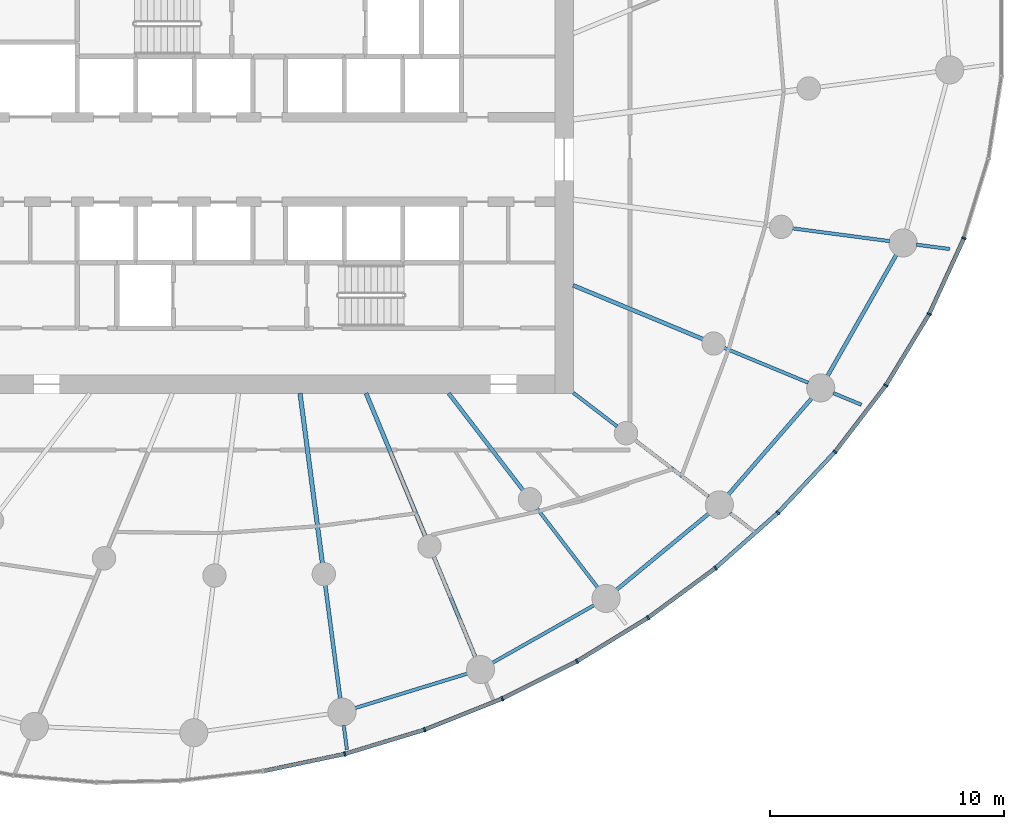
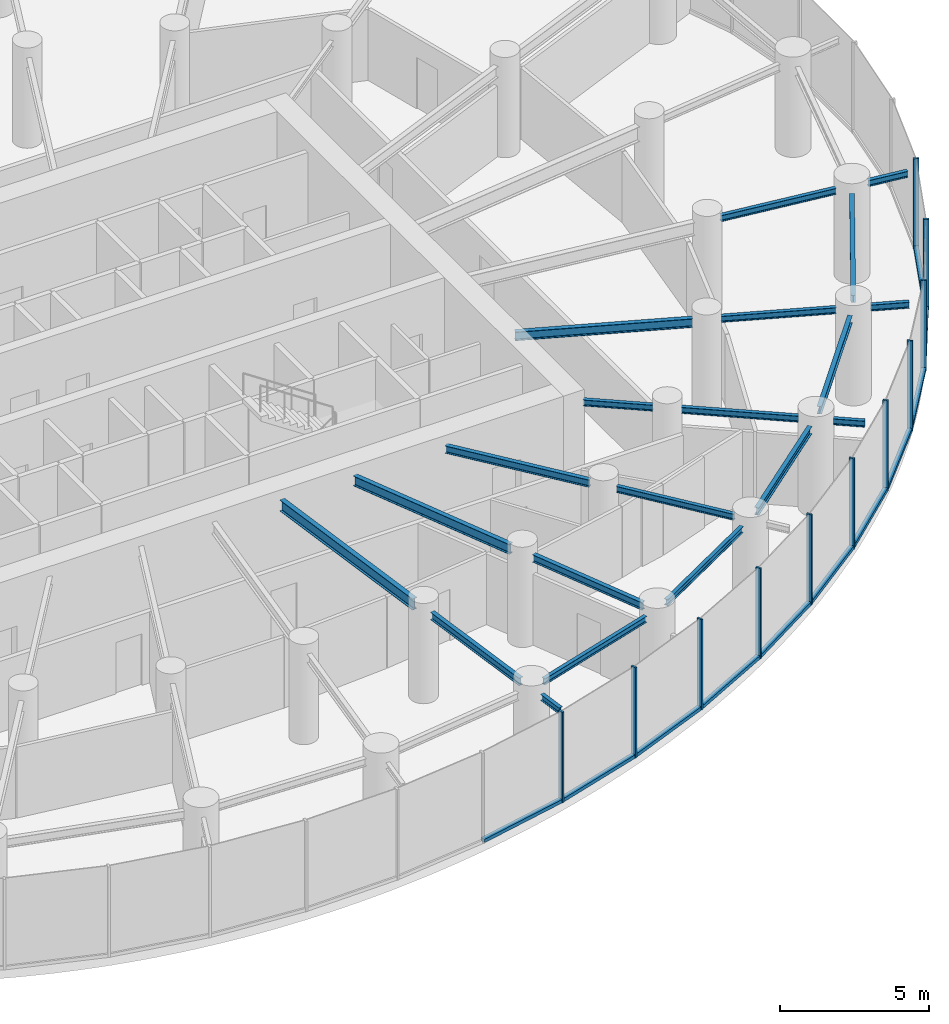
# One storey, part 4 of 17: 22 members, 20 beams, 3 elements without a shape of their own.
"""IFC4 building model written with IfcOpenShell, lengths in metres."""

from ifc_helpers import new_model, si_unit, direction, frame, origin, origin_2d, place, context, subcontext, project, spatial, rectangle, i_section, extrude, source, transform, mapped, material, layer, layer_set, material_profile, profile_set, type_object, element, aggregate, save


model = new_model("IFC4")

# Units and contexts
model_context = context("Model", 3, precision=1e-05, world=origin(), true_north=direction((0.0, 1.0)))
body_context = subcontext(model_context, "Body", "Model", "MODEL_VIEW")
ifc_project = project(units=[si_unit("LENGTHUNIT", "METRE"), si_unit("AREAUNIT", "SQUARE_METRE"), si_unit("VOLUMEUNIT", "CUBIC_METRE"), si_unit("PLANEANGLEUNIT", "RADIAN"), si_unit("MASSUNIT", "GRAM", prefix="KILO")], contexts=[model_context])

# Site, building, storey
site_placement = place(None, origin())
site = spatial("IfcSite", under=ifc_project, at=site_placement, CompositionType="ELEMENT")
building_placement = place(site_placement, origin())
building = spatial("IfcBuilding", under=site, at=building_placement, Name="Spindrift Exchange Tower", CompositionType="ELEMENT")
storey_placement = place(building_placement, frame((0.0, 0.0, 96.199951171875)))
storey = spatial("IfcBuildingStorey", under=building, at=storey_placement, Name="L22", CompositionType="ELEMENT", Elevation=96.199951171875)

# Beams
ifc_material_1 = material(Name="Steel Grade 300", Category="steel")
ifc_material_profile_1 = material_profile(ifc_material_1, i_section(OverallWidth=0.18994140625, OverallDepth=0.45703125, WebThickness=0.009033203125, FlangeThickness=0.014404296875, FilletRadius=0.013916015625, at=origin_2d()), Name="460UB74.6")
ifc_profile_set_1 = profile_set([ifc_material_profile_1], Name="Steel Grade 300")
beam_type_1 = type_object("IfcBeamType", Name="Floor Beam 460UB74.6 Steel Grade 300", PredefinedType="BEAM", material=ifc_profile_set_1)
shared_shape_1 = source(origin(), body_context, "Body", "SweptSolid", [
    extrude(i_section(OverallWidth=0.18994140625, OverallDepth=0.45703125, WebThickness=0.009033203125, FlangeThickness=0.014404296875, FilletRadius=0.013916015625, at=origin_2d()), origin(), (0.0, 0.0, 1.0), 7.3095703125),
])
beam_1_placement = place(storey_placement, frame((53.31396484375, 38.019775390625, 3.471435546875), z_axis=(0.130527087244, -0.991444743541, 0.0), x_axis=(0.991444743541, 0.130527087244, 0.0)))
element("IfcBeam", 1, at=beam_1_placement, inside=storey, type_object=beam_type_1, Name="L22 radial beam R19A", PredefinedType="BEAM", context=body_context, shape_type="MappedRepresentation", body=[
    mapped(shared_shape_1, transform((0.0, 0.0, 0.0), scale=1.0)),
])
ifc_material_profile_2 = material_profile(ifc_material_1, i_section(OverallWidth=0.177978515625, OverallDepth=0.406005859375, WebThickness=0.0078125, FlangeThickness=0.0126953125, FilletRadius=0.013916015625, at=origin_2d()), Name="410UB59.7")
ifc_profile_set_2 = profile_set([ifc_material_profile_2], Name="Steel Grade 300")
beam_type_2 = type_object("IfcBeamType", Name="Floor Beam 410UB59.7 Steel Grade 300", PredefinedType="BEAM", material=ifc_profile_set_2)
shared_shape_2 = source(origin(), body_context, "Body", "SweptSolid", [
    extrude(i_section(OverallWidth=0.177978515625, OverallDepth=0.406005859375, WebThickness=0.0078125, FlangeThickness=0.0126953125, FilletRadius=0.013916015625, at=origin_2d()), origin(), (0.0, 0.0, 1.0), 6.594482421875),
])
beam_2_placement = place(storey_placement, frame((56.134521484375, 38.0185546875, 3.4970703125), z_axis=(0.382692929746, -0.92387559851, 0.0), x_axis=(0.92387559851, 0.382692929746, 0.0)))
element("IfcBeam", 2, at=beam_2_placement, inside=storey, type_object=beam_type_2, Name="L22 radial beam R20A", PredefinedType="BEAM", context=body_context, shape_type="MappedRepresentation", body=[
    mapped(shared_shape_2, transform((0.0, 0.0, 0.0), scale=1.0)),
])
ifc_material_profile_3 = material_profile(ifc_material_1, i_section(OverallWidth=0.1650390625, OverallDepth=0.303955078125, WebThickness=0.006103515625, FlangeThickness=0.01025390625, FilletRadius=0.011474609375, at=origin_2d()), Name="310UB40.4")
ifc_profile_set_3 = profile_set([ifc_material_profile_3], Name="Steel Grade 300")
beam_type_3 = type_object("IfcBeamType", Name="Floor Beam 310UB40.4 Steel Grade 300", PredefinedType="BEAM", material=ifc_profile_set_3)
shared_shape_3 = source(origin(), body_context, "Body", "SweptSolid", [
    extrude(i_section(OverallWidth=0.1650390625, OverallDepth=0.303955078125, WebThickness=0.006103515625, FlangeThickness=0.01025390625, FilletRadius=0.011474609375, at=origin_2d()), origin(), (0.0, 0.0, 1.0), 5.224609375),
])
beam_3_placement = place(storey_placement, frame((59.6611328125, 38.015869140625, 3.548095703125), z_axis=(0.608741499316, -0.793368632485, 0.0), x_axis=(0.793368632485, 0.608741499316, 0.0)))
element("IfcBeam", 3, at=beam_3_placement, inside=storey, type_object=beam_type_3, Name="L22 radial beam R21A", PredefinedType="BEAM", context=body_context, shape_type="MappedRepresentation", body=[
    mapped(shared_shape_3, transform((0.0, 0.0, 0.0), scale=1.0)),
])
ifc_material_profile_4 = material_profile(ifc_material_1, i_section(OverallWidth=0.14599609375, OverallDepth=0.251953125, WebThickness=0.006103515625, FlangeThickness=0.008544921875, FilletRadius=0.011962890625, at=origin_2d()), Name="250UB31.4")
ifc_profile_set_4 = profile_set([ifc_material_profile_4], Name="Steel Grade 300")
beam_type_4 = type_object("IfcBeamType", Name="Floor Beam 250UB31.4 Steel Grade 300", PredefinedType="BEAM", material=ifc_profile_set_4)
shared_shape_4 = source(origin(), body_context, "Body", "SweptSolid", [
    extrude(i_section(OverallWidth=0.14599609375, OverallDepth=0.251953125, WebThickness=0.006103515625, FlangeThickness=0.008544921875, FilletRadius=0.011962890625, at=origin_2d()), origin(), (0.0, 0.0, 1.0), 2.353759765625),
])
beam_4_placement = place(storey_placement, frame((64.984130859375, 38.036865234375, 3.573974609375), z_axis=(0.793367573265, -0.608742879787, 0.0), x_axis=(0.608742879787, 0.793367573265, 0.0)))
element("IfcBeam", 4, at=beam_4_placement, inside=storey, type_object=beam_type_4, Name="L22 radial beam R22A", PredefinedType="BEAM", context=body_context, shape_type="MappedRepresentation", body=[
    mapped(shared_shape_4, transform((0.0, 0.0, 0.0), scale=1.0)),
])
ifc_material_profile_5 = material_profile(ifc_material_1, i_section(OverallWidth=0.172119140625, OverallDepth=0.35888671875, WebThickness=0.008056640625, FlangeThickness=0.012939453125, FilletRadius=0.013916015625, at=origin_2d()), Name="360UB56.7")
ifc_profile_set_5 = profile_set([ifc_material_profile_5], Name="Steel Grade 300")
beam_type_5 = type_object("IfcBeamType", Name="Floor Beam 360UB56.7 Steel Grade 300", PredefinedType="BEAM", material=ifc_profile_set_5)
shared_shape_5 = source(origin(), body_context, "Body", "SweptSolid", [
    extrude(i_section(OverallWidth=0.172119140625, OverallDepth=0.35888671875, WebThickness=0.008056640625, FlangeThickness=0.012939453125, FilletRadius=0.013916015625, at=origin_2d()), origin(), (0.0, 0.0, 1.0), 6.004638671875),
])
beam_5_placement = place(storey_placement, frame((64.9814453125, 42.622802734375, 3.5205078125), z_axis=(0.923882044911, -0.38267736684, 0.0), x_axis=(0.38267736684, 0.923882044911, 0.0)))
element("IfcBeam", 5, at=beam_5_placement, inside=storey, type_object=beam_type_5, Name="L22 radial beam R23A", PredefinedType="BEAM", context=body_context, shape_type="MappedRepresentation", body=[
    mapped(shared_shape_5, transform((0.0, 0.0, 0.0), scale=1.0)),
])
shared_shape_6 = source(origin(), body_context, "Body", "SweptSolid", [
    extrude(i_section(OverallWidth=0.1650390625, OverallDepth=0.303955078125, WebThickness=0.006103515625, FlangeThickness=0.01025390625, FilletRadius=0.011474609375, at=origin_2d()), origin(), (0.0, 0.0, 1.0), 4.883056640625),
])
beam_6_placement = place(storey_placement, frame((54.393310546875, 29.82080078125, 3.548095703125), z_axis=(0.130542457964, -0.991442719812, 0.0), x_axis=(0.991442719812, 0.130542457964, 0.0)))
element("IfcBeam", 6, at=beam_6_placement, inside=storey, type_object=beam_type_3, Name="L22 radial beam R19B", PredefinedType="BEAM", context=body_context, shape_type="MappedRepresentation", body=[
    mapped(shared_shape_6, transform((0.0, 0.0, 0.0), scale=1.0)),
])
shared_shape_7 = source(origin(), body_context, "Body", "SweptSolid", [
    extrude(i_section(OverallWidth=0.1650390625, OverallDepth=0.303955078125, WebThickness=0.006103515625, FlangeThickness=0.01025390625, FilletRadius=0.011474609375, at=origin_2d()), origin(), (0.0, 0.0, 1.0), 4.63671875),
])
beam_7_placement = place(storey_placement, frame((59.025390625, 31.0390625, 3.548095703125), z_axis=(0.382692818086, -0.923875644763, 0.0), x_axis=(0.923875644763, 0.382692818086, 0.0)))
element("IfcBeam", 7, at=beam_7_placement, inside=storey, type_object=beam_type_3, Name="L22 radial beam R20B", PredefinedType="BEAM", context=body_context, shape_type="MappedRepresentation", body=[
    mapped(shared_shape_7, transform((0.0, 0.0, 0.0), scale=1.0)),
])
shared_shape_8 = source(origin(), body_context, "Body", "SweptSolid", [
    extrude(i_section(OverallWidth=0.14599609375, OverallDepth=0.251953125, WebThickness=0.006103515625, FlangeThickness=0.008544921875, FilletRadius=0.011962890625, at=origin_2d()), origin(), (0.0, 0.0, 1.0), 4.27587890625),
])
beam_8_placement = place(storey_placement, frame((63.426025390625, 33.109375, 3.573974609375), z_axis=(0.608725184746, -0.793381150177, 0.0), x_axis=(0.793381150177, 0.608725184746, 0.0)))
element("IfcBeam", 8, at=beam_8_placement, inside=storey, type_object=beam_type_4, Name="L22 radial beam R21B", PredefinedType="BEAM", context=body_context, shape_type="MappedRepresentation", body=[
    mapped(shared_shape_8, transform((0.0, 0.0, 0.0), scale=1.0)),
])
shared_shape_9 = source(origin(), body_context, "Body", "SweptSolid", [
    extrude(i_section(OverallWidth=0.14599609375, OverallDepth=0.251953125, WebThickness=0.006103515625, FlangeThickness=0.008544921875, FilletRadius=0.011962890625, at=origin_2d()), origin(), (0.0, 0.0, 1.0), 3.966064453125),
])
beam_9_placement = place(storey_placement, frame((67.61328125, 36.01953125, 3.573974609375), z_axis=(0.79336256318, -0.608749409318, 0.0), x_axis=(0.608749409318, 0.79336256318, 0.0)))
element("IfcBeam", 9, at=beam_9_placement, inside=storey, type_object=beam_type_4, Name="L22 radial beam R22B", PredefinedType="BEAM", context=body_context, shape_type="MappedRepresentation", body=[
    mapped(shared_shape_9, transform((0.0, 0.0, 0.0), scale=1.0)),
])
shared_shape_10 = source(origin(), body_context, "Body", "SweptSolid", [
    extrude(i_section(OverallWidth=0.14599609375, OverallDepth=0.251953125, WebThickness=0.006103515625, FlangeThickness=0.008544921875, FilletRadius=0.011962890625, at=origin_2d()), origin(), (0.0, 0.0, 1.0), 3.892333984375),
])
beam_10_placement = place(storey_placement, frame((71.416015625, 39.95751953125, 3.573974609375), z_axis=(0.923878458273, -0.382686025794, 0.0), x_axis=(0.382686025794, 0.923878458273, 0.0)))
element("IfcBeam", 10, at=beam_10_placement, inside=storey, type_object=beam_type_4, Name="L22 radial beam R23B", PredefinedType="BEAM", context=body_context, shape_type="MappedRepresentation", body=[
    mapped(shared_shape_10, transform((0.0, 0.0, 0.0), scale=1.0)),
])
shared_shape_11 = source(origin(), body_context, "Body", "SweptSolid", [
    extrude(i_section(OverallWidth=0.14599609375, OverallDepth=0.251953125, WebThickness=0.006103515625, FlangeThickness=0.008544921875, FilletRadius=0.011962890625, at=origin_2d()), origin(), (0.0, 0.0, 1.0), 4.186279296875),
])
beam_11_placement = place(storey_placement, frame((74.339111328125, 45.05908203125, 3.573974609375), z_axis=(0.991445559167, -0.130520891848, 0.0), x_axis=(0.130520891848, 0.991445559167, 0.0)))
element("IfcBeam", 11, at=beam_11_placement, inside=storey, type_object=beam_type_4, Name="L22 radial beam R24B", PredefinedType="BEAM", context=body_context, shape_type="MappedRepresentation", body=[
    mapped(shared_shape_11, transform((0.0, 0.0, 0.0), scale=1.0)),
])
ifc_material_profile_6 = material_profile(ifc_material_1, i_section(OverallWidth=0.14599609375, OverallDepth=0.251953125, WebThickness=0.006103515625, FlangeThickness=0.008544921875, FilletRadius=0.011962890625, at=origin_2d()), Name="250UB31.4")
ifc_profile_set_6 = profile_set([ifc_material_profile_6], Name="Steel Grade 300")
beam_type_6 = type_object("IfcBeamType", Name="Edge Beam 250UB31.4 Steel Grade 300", PredefinedType="SPANDREL", material=ifc_profile_set_6)
shared_shape_12 = source(origin(), body_context, "Body", "SweptSolid", [
    extrude(i_section(OverallWidth=0.14599609375, OverallDepth=0.251953125, WebThickness=0.006103515625, FlangeThickness=0.008544921875, FilletRadius=0.011962890625, at=origin_2d()), origin(), (0.0, 0.0, 1.0), 5.027587890625),
])
beam_12_placement = place(storey_placement, frame((55.660888671875, 24.57470703125, 3.573974609375), z_axis=(0.956018084082, 0.293307727325, 0.0), x_axis=(-0.293307727325, 0.956018084082, 0.0)))
element("IfcBeam", 12, at=beam_12_placement, inside=storey, type_object=beam_type_6, Name="L22 edge beam E19", PredefinedType="SPANDREL", context=body_context, shape_type="MappedRepresentation", body=[
    mapped(shared_shape_12, transform((0.0, 0.0, 0.0), scale=1.0)),
])
shared_shape_13 = source(origin(), body_context, "Body", "SweptSolid", [
    extrude(i_section(OverallWidth=0.14599609375, OverallDepth=0.251953125, WebThickness=0.006103515625, FlangeThickness=0.008544921875, FilletRadius=0.011962890625, at=origin_2d()), origin(), (0.0, 0.0, 1.0), 5.0009765625),
])
beam_13_placement = place(storey_placement, frame((61.5263671875, 26.505615234375, 3.573974609375), z_axis=(0.870045916697, 0.492970691663, 0.0), x_axis=(-0.492970691663, 0.870045916697, 0.0)))
element("IfcBeam", 13, at=beam_13_placement, inside=storey, type_object=beam_type_6, Name="L22 edge beam E20", PredefinedType="SPANDREL", context=body_context, shape_type="MappedRepresentation", body=[
    mapped(shared_shape_13, transform((0.0, 0.0, 0.0), scale=1.0)),
])
ifc_material_profile_7 = material_profile(ifc_material_1, i_section(OverallWidth=0.1650390625, OverallDepth=0.303955078125, WebThickness=0.006103515625, FlangeThickness=0.01025390625, FilletRadius=0.011474609375, at=origin_2d()), Name="310UB40.4")
ifc_profile_set_7 = profile_set([ifc_material_profile_7], Name="Steel Grade 300")
beam_type_7 = type_object("IfcBeamType", Name="Edge Beam 310UB40.4 Steel Grade 300", PredefinedType="SPANDREL", material=ifc_profile_set_7)
shared_shape_14 = source(origin(), body_context, "Body", "SweptSolid", [
    extrude(i_section(OverallWidth=0.1650390625, OverallDepth=0.303955078125, WebThickness=0.006103515625, FlangeThickness=0.01025390625, FilletRadius=0.011474609375, at=origin_2d()), origin(), (0.0, 0.0, 1.0), 5.114501953125),
])
beam_14_placement = place(storey_placement, frame((66.8291015625, 29.626220703125, 3.548095703125), z_axis=(0.771073837992, 0.63674573918, 0.0), x_axis=(-0.63674573918, 0.771073837992, 0.0)))
element("IfcBeam", 14, at=beam_14_placement, inside=storey, type_object=beam_type_7, Name="L22 edge beam E21", PredefinedType="SPANDREL", context=body_context, shape_type="MappedRepresentation", body=[
    mapped(shared_shape_14, transform((0.0, 0.0, 0.0), scale=1.0)),
])
shared_shape_15 = source(origin(), body_context, "Body", "SweptSolid", [
    extrude(i_section(OverallWidth=0.1650390625, OverallDepth=0.303955078125, WebThickness=0.006103515625, FlangeThickness=0.01025390625, FilletRadius=0.011474609375, at=origin_2d()), origin(), (0.0, 0.0, 1.0), 5.448486328125),
])
beam_15_placement = place(storey_placement, frame((71.599609375, 33.6904296875, 3.548095703125), z_axis=(0.654922008827, 0.755696475018, 0.0), x_axis=(-0.755696475018, 0.654922008827, 0.0)))
element("IfcBeam", 15, at=beam_15_placement, inside=storey, type_object=beam_type_7, Name="L22 edge beam E22", PredefinedType="SPANDREL", context=body_context, shape_type="MappedRepresentation", body=[
    mapped(shared_shape_15, transform((0.0, 0.0, 0.0), scale=1.0)),
])
shared_shape_16 = source(origin(), body_context, "Body", "SweptSolid", [
    extrude(i_section(OverallWidth=0.1650390625, OverallDepth=0.303955078125, WebThickness=0.006103515625, FlangeThickness=0.01025390625, FilletRadius=0.011474609375, at=origin_2d()), origin(), (0.0, 0.0, 1.0), 5.9599609375),
])
beam_16_placement = place(storey_placement, frame((75.834228515625, 38.75048828125, 3.548095703125), z_axis=(0.493940434745, 0.869495742901, 0.0), x_axis=(-0.869495742901, 0.493940434745, 0.0)))
element("IfcBeam", 16, at=beam_16_placement, inside=storey, type_object=beam_type_7, Name="L22 edge beam E23", PredefinedType="SPANDREL", context=body_context, shape_type="MappedRepresentation", body=[
    mapped(shared_shape_16, transform((0.0, 0.0, 0.0), scale=1.0)),
])
ifc_material_profile_8 = material_profile(ifc_material_1, i_section(OverallWidth=0.14599609375, OverallDepth=0.251953125, WebThickness=0.006103515625, FlangeThickness=0.008544921875, FilletRadius=0.011962890625, at=origin_2d()), Name="250UB31.4")
ifc_profile_set_8 = profile_set([ifc_material_profile_8], Name="Steel Grade 300")
beam_type_8 = type_object("IfcBeamType", Name="Cantilever Beam 250UB31.4 Steel Grade 300", PredefinedType="BEAM", material=ifc_profile_set_8)
shared_shape_17 = source(origin(), body_context, "Body", "SweptSolid", [
    extrude(i_section(OverallWidth=0.14599609375, OverallDepth=0.251953125, WebThickness=0.006103515625, FlangeThickness=0.008544921875, FilletRadius=0.011962890625, at=origin_2d()), origin(), (0.0, 0.0, 1.0), 1.036865234375),
])
beam_17_placement = place(storey_placement, frame((55.18212890625, 23.82958984375, 3.573974609375), z_axis=(0.13043624116, -0.991456699504, 0.0), x_axis=(0.991456699504, 0.13043624116, 0.0)))
element("IfcBeam", 17, at=beam_17_placement, inside=storey, type_object=beam_type_8, Name="L22 cantilever beam R19T", PredefinedType="BEAM", context=body_context, shape_type="MappedRepresentation", body=[
    mapped(shared_shape_17, transform((0.0, 0.0, 0.0), scale=1.0)),
])
shared_shape_18 = source(origin(), body_context, "Body", "SweptSolid", [
    extrude(i_section(OverallWidth=0.14599609375, OverallDepth=0.251953125, WebThickness=0.006103515625, FlangeThickness=0.008544921875, FilletRadius=0.011962890625, at=origin_2d()), origin(), (0.0, 0.0, 1.0), 1.070556640625),
])
beam_18_placement = place(storey_placement, frame((71.679931640625, 32.89892578125, 3.573974609375), z_axis=(0.793411777687, -0.608685264342, 0.0), x_axis=(0.608685264342, 0.793411777687, 0.0)))
element("IfcBeam", 18, at=beam_18_placement, inside=storey, type_object=beam_type_8, Name="L22 cantilever beam R22T", PredefinedType="BEAM", context=body_context, shape_type="MappedRepresentation", body=[
    mapped(shared_shape_18, transform((0.0, 0.0, 0.0), scale=1.0)),
])
shared_shape_19 = source(origin(), body_context, "Body", "SweptSolid", [
    extrude(i_section(OverallWidth=0.14599609375, OverallDepth=0.251953125, WebThickness=0.006103515625, FlangeThickness=0.008544921875, FilletRadius=0.011962890625, at=origin_2d()), origin(), (0.0, 0.0, 1.0), 1.301025390625),
])
beam_19_placement = place(storey_placement, frame((76.08349609375, 38.024169921875, 3.573974609375), z_axis=(0.923891035164, -0.382655661324, 0.0), x_axis=(0.382655661324, 0.923891035164, 0.0)))
element("IfcBeam", 19, at=beam_19_placement, inside=storey, type_object=beam_type_8, Name="L22 cantilever beam R23T", PredefinedType="BEAM", context=body_context, shape_type="MappedRepresentation", body=[
    mapped(shared_shape_19, transform((0.0, 0.0, 0.0), scale=1.0)),
])
shared_shape_20 = source(origin(), body_context, "Body", "SweptSolid", [
    extrude(i_section(OverallWidth=0.14599609375, OverallDepth=0.251953125, WebThickness=0.006103515625, FlangeThickness=0.008544921875, FilletRadius=0.011962890625, at=origin_2d()), origin(), (0.0, 0.0, 1.0), 1.431884765625),
])
beam_20_placement = place(storey_placement, frame((79.639404296875, 44.361083984375, 3.573974609375), z_axis=(0.99145719693, -0.130432460129, 0.0), x_axis=(0.130432460129, 0.99145719693, 0.0)))
element("IfcBeam", 20, at=beam_20_placement, inside=storey, type_object=beam_type_8, Name="L22 cantilever beam R24T", PredefinedType="BEAM", context=body_context, shape_type="MappedRepresentation", body=[
    mapped(shared_shape_20, transform((0.0, 0.0, 0.0), scale=1.0)),
])

# Curtain wall, members
ifc_material_2 = material(Name="Fritted laminated glass with bronze frame", Category="glass")
ifc_layer = layer(ifc_material_2, 0.18994140625)
ifc_layer_set = layer_set([ifc_layer], Name="ZONE 2 BRONZE FRITTED WALL")
curtain_wall_type = type_object("IfcCurtainWallType", Name="ZONE 2 BRONZE FRITTED WALL", PredefinedType="NOTDEFINED", material=ifc_layer_set)
curtain_wall_1_placement = place(storey_placement, origin())
curtain_wall_1 = element("IfcCurtainWall", 21, at=curtain_wall_1_placement, inside=storey, type_object=curtain_wall_type, Name="L22 Zone 2 Bronze Fritted Wall run 7", PredefinedType="NOTDEFINED")
ifc_material_3 = material(Name="Bronze anodised aluminium", Category="aluminium")
ifc_material_profile_9 = material_profile(ifc_material_3, rectangle(XDim=0.074951171875, YDim=0.18994140625, at=origin_2d()), Name="ZONE 2 BRONZE FRITTED WALL MULLION 75X190")
ifc_profile_set_9 = profile_set([ifc_material_profile_9], Name="Bronze anodised aluminium")
member_type_1 = type_object("IfcMemberType", Name="ZONE 2 BRONZE FRITTED WALL MULLION 75X190", PredefinedType="MULLION", material=ifc_profile_set_9)
shared_shape_21 = source(origin(), body_context, "Body", "SweptSolid", [
    extrude(rectangle(XDim=0.074951171875, YDim=0.18994140625, at=origin_2d()), origin(), (0.0, 0.0, 1.0), 3.699951171875),
])
member_1_placement = place(storey_placement, frame((55.22509765625, 22.615966796875, 0.0), z_axis=(0.0, 0.0, 1.0), x_axis=(0.968614060878, 0.248569509535, 0.0)))
member_1 = element("IfcMember", 22, at=member_1_placement, type_object=member_type_1, Name="L22 mullion CW-2.37", PredefinedType="MULLION", context=body_context, shape_type="MappedRepresentation", body=[
    mapped(shared_shape_21, transform((0.0, 0.0, 0.0), scale=1.0)),
])
member_2_placement = place(storey_placement, frame((58.6376953125, 23.65283203125, 0.0), z_axis=(0.0, 0.0, 1.0), x_axis=(0.943556725826, 0.331210967737, 0.0)))
member_2 = element("IfcMember", 23, at=member_2_placement, type_object=member_type_1, Name="L22 mullion CW-2.38", PredefinedType="MULLION", context=body_context, shape_type="MappedRepresentation", body=[
    mapped(shared_shape_21, transform((0.0, 0.0, 0.0), scale=1.0)),
])
member_3_placement = place(storey_placement, frame((61.94970703125, 24.9765625, 0.0), z_axis=(0.0, 0.0, 1.0), x_axis=(0.912116318485, 0.409931483974, 0.0)))
member_3 = element("IfcMember", 24, at=member_3_placement, type_object=member_type_1, Name="L22 mullion CW-2.39", PredefinedType="MULLION", context=body_context, shape_type="MappedRepresentation", body=[
    mapped(shared_shape_21, transform((0.0, 0.0, 0.0), scale=1.0)),
])
member_4_placement = place(storey_placement, frame((65.138427734375, 26.574462890625, 0.0), z_axis=(0.0, 0.0, 1.0), x_axis=(0.874271166233, 0.485437872331, 0.0)))
member_4 = element("IfcMember", 25, at=member_4_placement, type_object=member_type_1, Name="L22 mullion CW-2.40", PredefinedType="MULLION", context=body_context, shape_type="MappedRepresentation", body=[
    mapped(shared_shape_21, transform((0.0, 0.0, 0.0), scale=1.0)),
])
member_5_placement = place(storey_placement, frame((68.1806640625, 28.436279296875, 0.0), z_axis=(0.0, 0.0, 1.0), x_axis=(0.829659048194, 0.558270421704, 0.0)))
member_5 = element("IfcMember", 26, at=member_5_placement, type_object=member_type_1, Name="L22 mullion CW-2.41", PredefinedType="MULLION", context=body_context, shape_type="MappedRepresentation", body=[
    mapped(shared_shape_21, transform((0.0, 0.0, 0.0), scale=1.0)),
])
member_6_placement = place(storey_placement, frame((71.05126953125, 30.552978515625, 0.0), z_axis=(0.0, 0.0, 1.0), x_axis=(0.777596801706, 0.628763241592, 0.0)))
member_6 = element("IfcMember", 27, at=member_6_placement, type_object=member_type_1, Name="L22 mullion CW-2.42", PredefinedType="MULLION", context=body_context, shape_type="MappedRepresentation", body=[
    mapped(shared_shape_21, transform((0.0, 0.0, 0.0), scale=1.0)),
])

curtain_wall_2_placement = place(storey_placement, origin())
curtain_wall_2 = element("IfcCurtainWall", 28, at=curtain_wall_2_placement, inside=storey, type_object=curtain_wall_type, Name="L22 Zone 2 Bronze Fritted Wall run 8", PredefinedType="NOTDEFINED")
member_7_placement = place(storey_placement, frame((73.721923828125, 32.916748046875, 0.0), z_axis=(0.0, 0.0, 1.0), x_axis=(0.717028169383, 0.697044191075, 0.0)))
member_7 = element("IfcMember", 29, at=member_7_placement, type_object=member_type_1, Name="L22 mullion CW-2.43", PredefinedType="MULLION", context=body_context, shape_type="MappedRepresentation", body=[
    mapped(shared_shape_21, transform((0.0, 0.0, 0.0), scale=1.0)),
])
member_8_placement = place(storey_placement, frame((76.16015625, 35.51953125, 0.0), z_axis=(0.0, 0.0, 1.0), x_axis=(0.646559548014, 0.762863520476, 0.0)))
member_8 = element("IfcMember", 30, at=member_8_placement, type_object=member_type_1, Name="L22 mullion CW-2.44", PredefinedType="MULLION", context=body_context, shape_type="MappedRepresentation", body=[
    mapped(shared_shape_21, transform((0.0, 0.0, 0.0), scale=1.0)),
])
member_9_placement = place(storey_placement, frame((78.327880859375, 38.351318359375, 0.0), z_axis=(0.0, 0.0, 1.0), x_axis=(0.564417298898, 0.825489619986, 0.0)))
member_9 = element("IfcMember", 31, at=member_9_placement, type_object=member_type_1, Name="L22 mullion CW-2.45", PredefinedType="MULLION", context=body_context, shape_type="MappedRepresentation", body=[
    mapped(shared_shape_21, transform((0.0, 0.0, 0.0), scale=1.0)),
])
member_10_placement = place(storey_placement, frame((80.1796875, 41.3984375, 0.0), z_axis=(0.0, 0.0, 1.0), x_axis=(0.468461333474, 0.883484000444, 0.0)))
member_10 = element("IfcMember", 32, at=member_10_placement, type_object=member_type_1, Name="L22 mullion CW-2.46", PredefinedType="MULLION", context=body_context, shape_type="MappedRepresentation", body=[
    mapped(shared_shape_21, transform((0.0, 0.0, 0.0), scale=1.0)),
])
member_11_placement = place(storey_placement, frame((81.662841796875, 44.640869140625, 0.0), z_axis=(0.0, 0.0, 1.0), x_axis=(0.356476288562, 0.934304369942, 0.0)))
member_11 = element("IfcMember", 33, at=member_11_placement, type_object=member_type_1, Name="L22 mullion CW-2.47", PredefinedType="MULLION", context=body_context, shape_type="MappedRepresentation", body=[
    mapped(shared_shape_21, transform((0.0, 0.0, 0.0), scale=1.0)),
])
ifc_material_profile_10 = material_profile(ifc_material_3, rectangle(XDim=0.169921875, YDim=0.139892578125, at=origin_2d()), Name="ZONE 2 BRONZE FRITTED WALL TRANSOM 170X140")
ifc_profile_set_10 = profile_set([ifc_material_profile_10], Name="Bronze anodised aluminium")
member_type_2 = type_object("IfcMemberType", Name="ZONE 2 BRONZE FRITTED WALL TRANSOM 170X140", PredefinedType="USERDEFINED", material=ifc_profile_set_10)
shared_shape_22 = source(origin(), body_context, "Body", "SweptSolid", [
    extrude(rectangle(XDim=0.169921875, YDim=0.139892578125, at=origin_2d()), origin(), (0.0, 0.0, 1.0), 3.4912109375),
])
member_12_placement = place(storey_placement, frame((76.182861328125, 35.54931640625, 0.070068359375), z_axis=(0.607836791499, 0.794061984293, 0.0), x_axis=(-0.794061984293, 0.607836791499, 0.0)))
member_12 = element("IfcMember", 34, at=member_12_placement, type_object=member_type_2, Name="L22 transom CW-2.44", ObjectType="TRANSOM", PredefinedType="USERDEFINED", context=body_context, shape_type="MappedRepresentation", body=[
    mapped(shared_shape_22, transform((0.0, 0.0, 0.0), scale=1.0)),
])

# Curtain wall, member
curtain_wall_3_placement = place(storey_placement, origin())
curtain_wall_3 = element("IfcCurtainWall", 35, at=curtain_wall_3_placement, inside=storey, type_object=curtain_wall_type, Name="L22 Zone 2 Bronze Fritted Wall run 6", PredefinedType="NOTDEFINED")
shared_shape_23 = source(origin(), body_context, "Body", "SweptSolid", [
    extrude(rectangle(XDim=0.169921875, YDim=0.139892578125, at=origin_2d()), origin(), (0.0, 0.0, 1.0), 3.49169921875),
])
member_13_placement = place(storey_placement, frame((51.771728515625, 21.88916015625, 0.070068359375), z_axis=(0.978568328159, 0.20592238131, 0.0), x_axis=(-0.20592238131, 0.978568328159, 0.0)))
member_13 = element("IfcMember", 36, at=member_13_placement, type_object=member_type_2, Name="L22 transom CW-2.36", ObjectType="TRANSOM", PredefinedType="USERDEFINED", context=body_context, shape_type="MappedRepresentation", body=[
    mapped(shared_shape_23, transform((0.0, 0.0, 0.0), scale=1.0)),
])
aggregate(curtain_wall_3, [member_13])

# Member
member_14_placement = place(storey_placement, frame((58.672607421875, 23.666748046875, 0.070068359375), z_axis=(0.928582735695, 0.371125454489, 0.0), x_axis=(-0.371125454489, 0.928582735695, 0.0)))
member_14 = element("IfcMember", 37, at=member_14_placement, type_object=member_type_2, Name="L22 transom CW-2.38", ObjectType="TRANSOM", PredefinedType="USERDEFINED", context=body_context, shape_type="MappedRepresentation", body=[
    mapped(shared_shape_23, transform((0.0, 0.0, 0.0), scale=1.0)),
])

member_15_placement = place(storey_placement, frame((65.17041015625, 26.593994140625, 0.070068359375), z_axis=(0.852968841599, 0.521961833145, 0.0), x_axis=(-0.521961833145, 0.852968841599, 0.0)))
member_15 = element("IfcMember", 38, at=member_15_placement, type_object=member_type_2, Name="L22 transom CW-2.40", ObjectType="TRANSOM", PredefinedType="USERDEFINED", context=body_context, shape_type="MappedRepresentation", body=[
    mapped(shared_shape_23, transform((0.0, 0.0, 0.0), scale=1.0)),
])

shared_shape_24 = source(origin(), body_context, "Body", "SweptSolid", [
    extrude(rectangle(XDim=0.169921875, YDim=0.139892578125, at=origin_2d()), origin(), (0.0, 0.0, 1.0), 3.490478515625),
])
member_16_placement = place(storey_placement, frame((80.1953125, 41.4326171875, 0.070068359375), z_axis=(0.415972989436, 0.909376969171, 0.0), x_axis=(-0.909376969171, 0.415972989436, 0.0)))
member_16 = element("IfcMember", 39, at=member_16_placement, type_object=member_type_2, Name="L22 transom CW-2.46", ObjectType="TRANSOM", PredefinedType="USERDEFINED", context=body_context, shape_type="MappedRepresentation", body=[
    mapped(shared_shape_24, transform((0.0, 0.0, 0.0), scale=1.0)),
])

shared_shape_25 = source(origin(), body_context, "Body", "SweptSolid", [
    extrude(rectangle(XDim=0.169921875, YDim=0.139892578125, at=origin_2d()), origin(), (0.0, 0.0, 1.0), 3.491455078125),
])
member_17_placement = place(storey_placement, frame((55.260986328125, 22.626953125, 0.070068359375), z_axis=(0.956823640091, 0.290669093237, 0.0), x_axis=(-0.290669093237, 0.956823640091, 0.0)))
member_17 = element("IfcMember", 40, at=member_17_placement, type_object=member_type_2, Name="L22 transom CW-2.37", ObjectType="TRANSOM", PredefinedType="USERDEFINED", context=body_context, shape_type="MappedRepresentation", body=[
    mapped(shared_shape_25, transform((0.0, 0.0, 0.0), scale=1.0)),
])

member_18_placement = place(storey_placement, frame((61.9833984375, 24.993408203125, 0.070068359375), z_axis=(0.894035279439, 0.447996561502, 0.0), x_axis=(-0.447996561502, 0.894035279439, 0.0)))
member_18 = element("IfcMember", 41, at=member_18_placement, type_object=member_type_2, Name="L22 transom CW-2.39", ObjectType="TRANSOM", PredefinedType="USERDEFINED", context=body_context, shape_type="MappedRepresentation", body=[
    mapped(shared_shape_25, transform((0.0, 0.0, 0.0), scale=1.0)),
])

member_19_placement = place(storey_placement, frame((68.2109375, 28.45849609375, 0.070068359375), z_axis=(0.804823784193, 0.593513838421, 0.0), x_axis=(-0.593513838421, 0.804823784193, 0.0)))
member_19 = element("IfcMember", 42, at=member_19_placement, type_object=member_type_2, Name="L22 transom CW-2.41", ObjectType="TRANSOM", PredefinedType="USERDEFINED", context=body_context, shape_type="MappedRepresentation", body=[
    mapped(shared_shape_25, transform((0.0, 0.0, 0.0), scale=1.0)),
])

member_20_placement = place(storey_placement, frame((71.079345703125, 30.577880859375, 0.070068359375), z_axis=(0.748835043635, 0.662756423903, 0.0), x_axis=(-0.662756423903, 0.748835043635, 0.0)))
member_20 = element("IfcMember", 43, at=member_20_placement, type_object=member_type_2, Name="L22 transom CW-2.42", ObjectType="TRANSOM", PredefinedType="USERDEFINED", context=body_context, shape_type="MappedRepresentation", body=[
    mapped(shared_shape_25, transform((0.0, 0.0, 0.0), scale=1.0)),
])

aggregate(curtain_wall_1, [member_1, member_17, member_2, member_14, member_3, member_18, member_4, member_15, member_5, member_19, member_6, member_20])

member_21_placement = place(storey_placement, frame((73.74755859375, 32.944091796875, 0.070068359375), z_axis=(0.683654980554, 0.729805362795, 0.0), x_axis=(-0.729805362795, 0.683654980554, 0.0)))
member_21 = element("IfcMember", 44, at=member_21_placement, type_object=member_type_2, Name="L22 transom CW-2.43", ObjectType="TRANSOM", PredefinedType="USERDEFINED", context=body_context, shape_type="MappedRepresentation", body=[
    mapped(shared_shape_25, transform((0.0, 0.0, 0.0), scale=1.0)),
])

shared_shape_26 = source(origin(), body_context, "Body", "SweptSolid", [
    extrude(rectangle(XDim=0.169921875, YDim=0.139892578125, at=origin_2d()), origin(), (0.0, 0.0, 1.0), 3.490966796875),
])
member_22_placement = place(storey_placement, frame((78.34716796875, 38.38330078125, 0.070068359375), z_axis=(0.519403282014, 0.854529245043, 0.0), x_axis=(-0.854529245043, 0.519403282014, 0.0)))
member_22 = element("IfcMember", 45, at=member_22_placement, type_object=member_type_2, Name="L22 transom CW-2.45", ObjectType="TRANSOM", PredefinedType="USERDEFINED", context=body_context, shape_type="MappedRepresentation", body=[
    mapped(shared_shape_26, transform((0.0, 0.0, 0.0), scale=1.0)),
])

aggregate(curtain_wall_2, [member_7, member_21, member_8, member_12, member_9, member_22, member_10, member_16, member_11])

save(model, "model.ifc")
